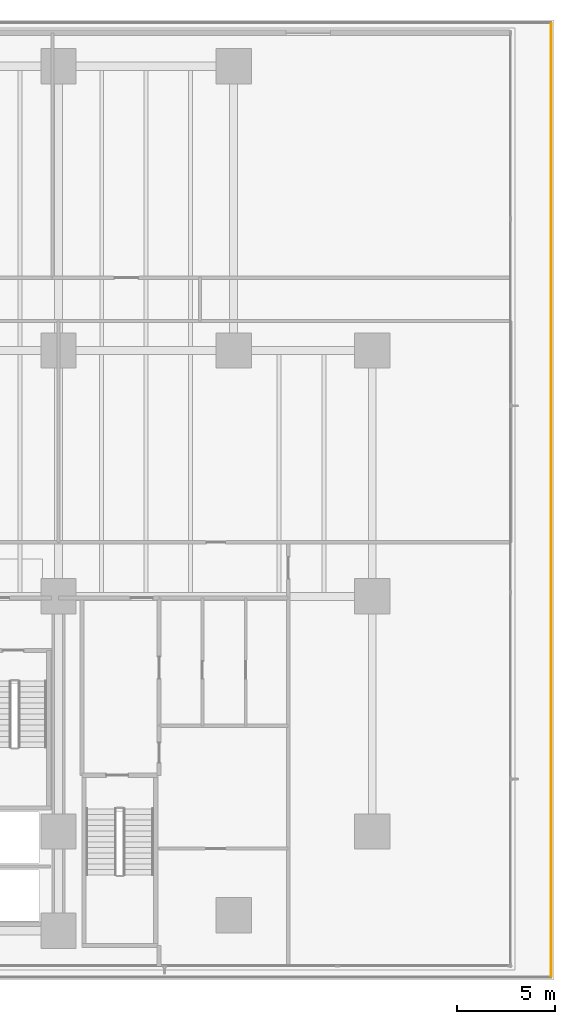
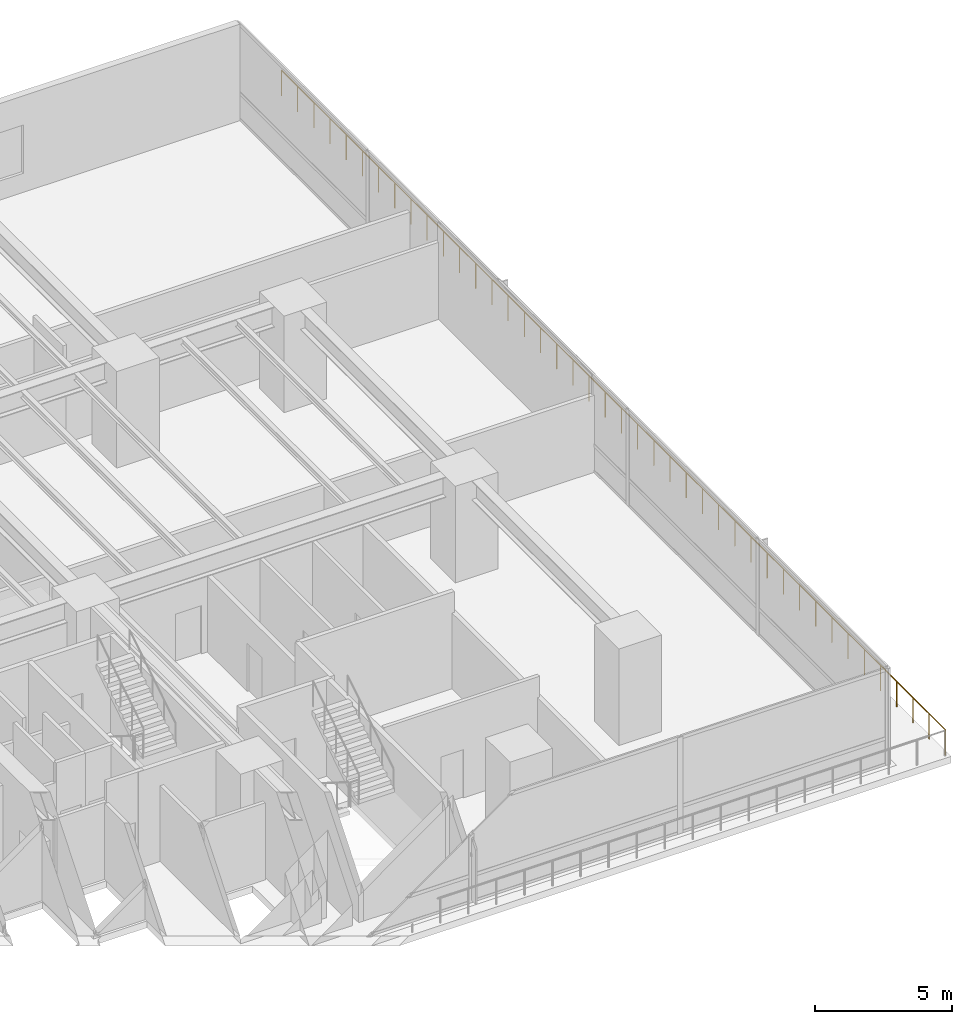
# One storey, part 25 of 26: 1 railing.
"""IFC4 building model written with IfcOpenShell, lengths in metres."""

from ifc_helpers import new_model, si_unit, direction, frame, origin, origin_2d, place, context, subcontext, project, spatial, circle, extrude, material, type_object, element, save


model = new_model("IFC4")

# Units and contexts
model_context = context("Model", 3, precision=1e-05, world=origin(), true_north=direction((0.0, 1.0)))
body_context = subcontext(model_context, "Body", "Model", "MODEL_VIEW")
ifc_project = project(units=[si_unit("LENGTHUNIT", "METRE"), si_unit("AREAUNIT", "SQUARE_METRE"), si_unit("VOLUMEUNIT", "CUBIC_METRE"), si_unit("PLANEANGLEUNIT", "RADIAN"), si_unit("MASSUNIT", "GRAM", prefix="KILO")], contexts=[model_context])

# Site, building, storey
site_placement = place(None, origin())
site = spatial("IfcSite", under=ifc_project, at=site_placement, CompositionType="ELEMENT")
building_placement = place(site_placement, origin())
building = spatial("IfcBuilding", under=site, at=building_placement, Name="Qalmaran Belvedere Hotel", CompositionType="ELEMENT")
storey_placement = place(building_placement, frame((0.0, 0.0, 19.199951171875)))
storey = spatial("IfcBuildingStorey", under=building, at=storey_placement, Name="L04", CompositionType="ELEMENT", Elevation=19.199951171875)

# Railing
ifc_material = material(Name="Anodised Bronze Aluminium", Category="aluminium")
railing_type = type_object("IfcRailingType", Name="GRD-TERR-1150", PredefinedType="BALUSTRADE", material=ifc_material)
railing_placement = place(storey_placement, frame((69.860107421875, 1.175048828125, 0.0)))
element("IfcRailing", 1, at=railing_placement, inside=storey, type_object=railing_type, Name="L04 Guardrail L04-TERR-2", PredefinedType="BALUSTRADE", context=body_context, shape_type="SweptSolid", body=[
    extrude(circle(Radius=0.02392578125, at=origin_2d()), frame((0.0, 0.0, 1.1259765625), z_axis=(0.0, 1.0, 0.0), x_axis=(-1.0, 0.0, 0.0)), (0.0, 0.0, 1.0), 48.449951171875),
    extrude(circle(Radius=0.02099609375, at=origin_2d()), origin(), (0.0, 0.0, 1.0), 1.101806640625),
    extrude(circle(Radius=0.02099609375, at=origin_2d()), frame((0.0, 1.181640625, 0.0)), (0.0, 0.0, 1.0), 1.101806640625),
    extrude(circle(Radius=0.02099609375, at=origin_2d()), frame((0.0, 2.363525390625, 0.0)), (0.0, 0.0, 1.0), 1.101806640625),
    extrude(circle(Radius=0.02099609375, at=origin_2d()), frame((0.0, 3.545166015625, 0.0)), (0.0, 0.0, 1.0), 1.101806640625),
    extrude(circle(Radius=0.02099609375, at=origin_2d()), frame((0.0, 4.726806640625, 0.0)), (0.0, 0.0, 1.0), 1.101806640625),
    extrude(circle(Radius=0.02099609375, at=origin_2d()), frame((0.0, 5.908447265625, 0.0)), (0.0, 0.0, 1.0), 1.101806640625),
    extrude(circle(Radius=0.02099609375, at=origin_2d()), frame((0.0, 7.09033203125, 0.0)), (0.0, 0.0, 1.0), 1.101806640625),
    extrude(circle(Radius=0.02099609375, at=origin_2d()), frame((0.0, 8.27197265625, 0.0)), (0.0, 0.0, 1.0), 1.101806640625),
    extrude(circle(Radius=0.02099609375, at=origin_2d()), frame((0.0, 9.45361328125, 0.0)), (0.0, 0.0, 1.0), 1.101806640625),
    extrude(circle(Radius=0.02099609375, at=origin_2d()), frame((0.0, 10.63525390625, 0.0)), (0.0, 0.0, 1.0), 1.101806640625),
    extrude(circle(Radius=0.02099609375, at=origin_2d()), frame((0.0, 11.817138671875, 0.0)), (0.0, 0.0, 1.0), 1.101806640625),
    extrude(circle(Radius=0.02099609375, at=origin_2d()), frame((0.0, 12.998779296875, 0.0)), (0.0, 0.0, 1.0), 1.101806640625),
    extrude(circle(Radius=0.02099609375, at=origin_2d()), frame((0.0, 14.180419921875, 0.0)), (0.0, 0.0, 1.0), 1.101806640625),
    extrude(circle(Radius=0.02099609375, at=origin_2d()), frame((0.0, 15.362060546875, 0.0)), (0.0, 0.0, 1.0), 1.101806640625),
    extrude(circle(Radius=0.02099609375, at=origin_2d()), frame((0.0, 16.5439453125, 0.0)), (0.0, 0.0, 1.0), 1.101806640625),
    extrude(circle(Radius=0.02099609375, at=origin_2d()), frame((0.0, 17.7255859375, 0.0)), (0.0, 0.0, 1.0), 1.101806640625),
    extrude(circle(Radius=0.02099609375, at=origin_2d()), frame((0.0, 18.9072265625, 0.0)), (0.0, 0.0, 1.0), 1.101806640625),
    extrude(circle(Radius=0.02099609375, at=origin_2d()), frame((0.0, 20.089111328125, 0.0)), (0.0, 0.0, 1.0), 1.101806640625),
    extrude(circle(Radius=0.02099609375, at=origin_2d()), frame((0.0, 21.270751953125, 0.0)), (0.0, 0.0, 1.0), 1.101806640625),
    extrude(circle(Radius=0.02099609375, at=origin_2d()), frame((0.0, 22.452392578125, 0.0)), (0.0, 0.0, 1.0), 1.101806640625),
    extrude(circle(Radius=0.02099609375, at=origin_2d()), frame((0.0, 23.634033203125, 0.0)), (0.0, 0.0, 1.0), 1.101806640625),
    extrude(circle(Radius=0.02099609375, at=origin_2d()), frame((0.0, 24.81591796875, 0.0)), (0.0, 0.0, 1.0), 1.101806640625),
    extrude(circle(Radius=0.02099609375, at=origin_2d()), frame((0.0, 25.99755859375, 0.0)), (0.0, 0.0, 1.0), 1.101806640625),
    extrude(circle(Radius=0.02099609375, at=origin_2d()), frame((0.0, 27.17919921875, 0.0)), (0.0, 0.0, 1.0), 1.101806640625),
    extrude(circle(Radius=0.02099609375, at=origin_2d()), frame((0.0, 28.36083984375, 0.0)), (0.0, 0.0, 1.0), 1.101806640625),
    extrude(circle(Radius=0.02099609375, at=origin_2d()), frame((0.0, 29.542724609375, 0.0)), (0.0, 0.0, 1.0), 1.101806640625),
    extrude(circle(Radius=0.02099609375, at=origin_2d()), frame((0.0, 30.724365234375, 0.0)), (0.0, 0.0, 1.0), 1.101806640625),
    extrude(circle(Radius=0.02099609375, at=origin_2d()), frame((0.0, 31.906005859375, 0.0)), (0.0, 0.0, 1.0), 1.101806640625),
    extrude(circle(Radius=0.02099609375, at=origin_2d()), frame((0.0, 33.087890625, 0.0)), (0.0, 0.0, 1.0), 1.101806640625),
    extrude(circle(Radius=0.02099609375, at=origin_2d()), frame((0.0, 34.26953125, 0.0)), (0.0, 0.0, 1.0), 1.101806640625),
    extrude(circle(Radius=0.02099609375, at=origin_2d()), frame((0.0, 35.451171875, 0.0)), (0.0, 0.0, 1.0), 1.101806640625),
    extrude(circle(Radius=0.02099609375, at=origin_2d()), frame((0.0, 36.6328125, 0.0)), (0.0, 0.0, 1.0), 1.101806640625),
    extrude(circle(Radius=0.02099609375, at=origin_2d()), frame((0.0, 37.814697265625, 0.0)), (0.0, 0.0, 1.0), 1.101806640625),
    extrude(circle(Radius=0.02099609375, at=origin_2d()), frame((0.0, 38.996337890625, 0.0)), (0.0, 0.0, 1.0), 1.101806640625),
    extrude(circle(Radius=0.02099609375, at=origin_2d()), frame((0.0, 40.177978515625, 0.0)), (0.0, 0.0, 1.0), 1.101806640625),
    extrude(circle(Radius=0.02099609375, at=origin_2d()), frame((0.0, 41.359619140625, 0.0)), (0.0, 0.0, 1.0), 1.101806640625),
    extrude(circle(Radius=0.02099609375, at=origin_2d()), frame((0.0, 42.54150390625, 0.0)), (0.0, 0.0, 1.0), 1.101806640625),
    extrude(circle(Radius=0.02099609375, at=origin_2d()), frame((0.0, 43.72314453125, 0.0)), (0.0, 0.0, 1.0), 1.101806640625),
    extrude(circle(Radius=0.02099609375, at=origin_2d()), frame((0.0, 44.90478515625, 0.0)), (0.0, 0.0, 1.0), 1.101806640625),
    extrude(circle(Radius=0.02099609375, at=origin_2d()), frame((0.0, 46.08642578125, 0.0)), (0.0, 0.0, 1.0), 1.101806640625),
    extrude(circle(Radius=0.02099609375, at=origin_2d()), frame((0.0, 47.268310546875, 0.0)), (0.0, 0.0, 1.0), 1.101806640625),
    extrude(circle(Radius=0.02099609375, at=origin_2d()), frame((0.0, 48.449951171875, 0.0)), (0.0, 0.0, 1.0), 1.101806640625),
])

save(model, "model.ifc")
